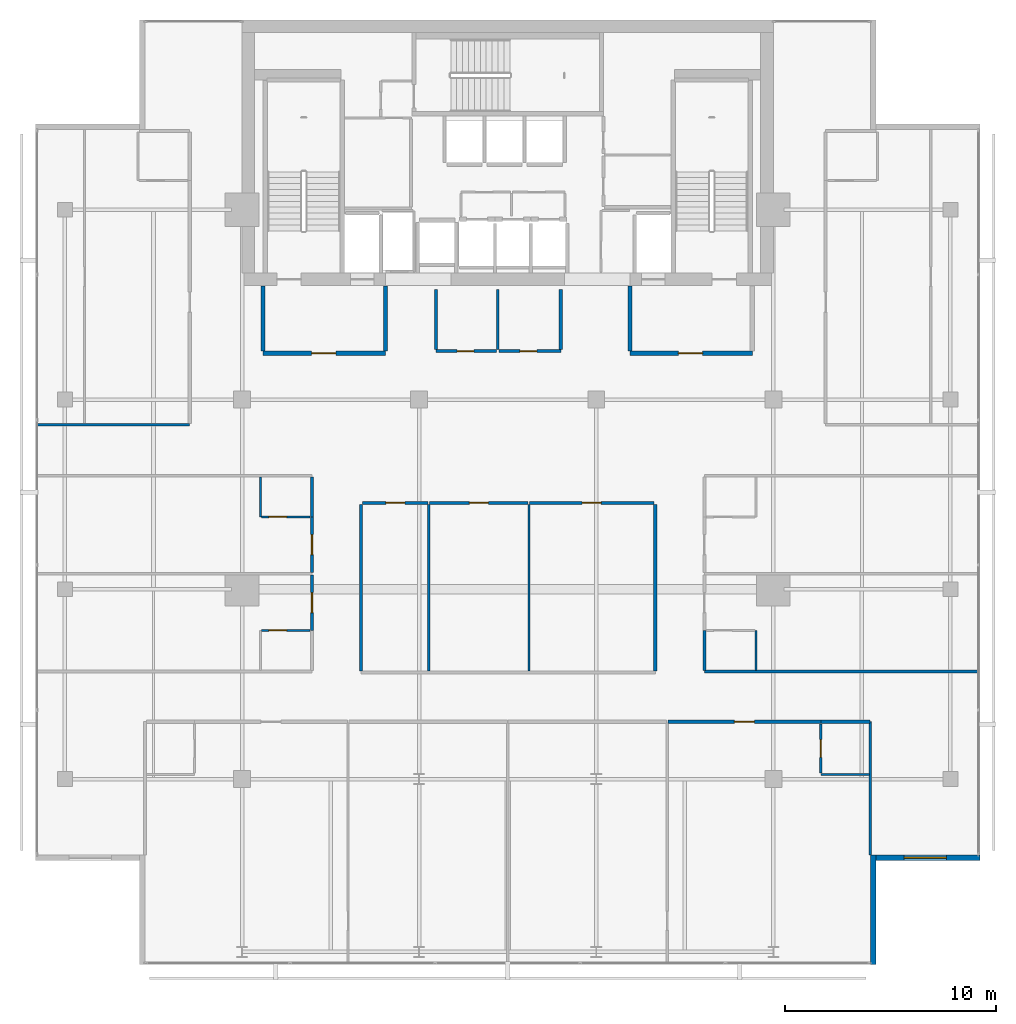
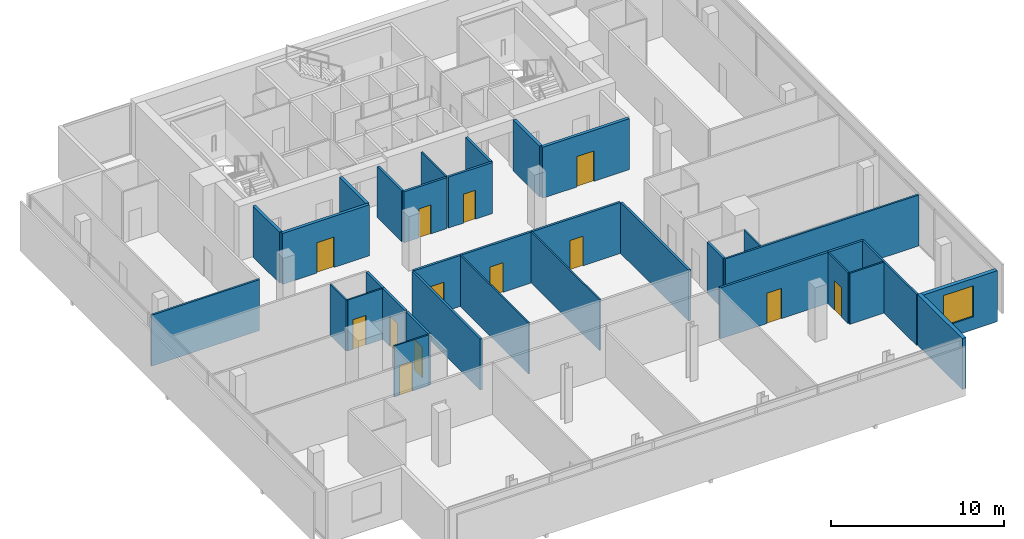
# One storey, part 20 of 25: 34 walls, 13 doors, 1 window, 14 openings.
"""IFC4 building model written with IfcOpenShell, lengths in metres."""

from ifc_helpers import new_model, si_unit, direction, frame, frame_2d, origin, place, context, subcontext, project, spatial, rectangle, extrude, material, layer, layer_set, type_object, element, fill, save


model = new_model("IFC4")

# Units and contexts
model_context = context("Model", 3, precision=1e-05, world=origin(), true_north=direction((0.0, 1.0)))
body_context = subcontext(model_context, "Body", "Model", "MODEL_VIEW")
ifc_project = project(units=[si_unit("LENGTHUNIT", "METRE"), si_unit("AREAUNIT", "SQUARE_METRE"), si_unit("VOLUMEUNIT", "CUBIC_METRE"), si_unit("PLANEANGLEUNIT", "RADIAN"), si_unit("MASSUNIT", "GRAM", prefix="KILO")], contexts=[model_context])

# Site, building, storey
site_placement = place(None, origin())
site = spatial("IfcSite", under=ifc_project, at=site_placement, CompositionType="ELEMENT")
building_placement = place(site_placement, origin())
building = spatial("IfcBuilding", under=site, at=building_placement, Name="Maruvema Waterfront Hotel and Observation Tower", CompositionType="ELEMENT")
storey_placement = place(building_placement, frame((0.0, 0.0, 277.89990234375)))
storey = spatial("IfcBuildingStorey", under=building, at=storey_placement, Name="L68", CompositionType="ELEMENT", Elevation=277.89990234375)

# Wall, opening, door
ifc_material_1 = material(Name="Twin-stud acoustic gypsum drywall", Category="gypsum")
ifc_layer_1 = layer(ifc_material_1, 0.14990234375, Name="Acoustic Corridor and Suite Demising Wall 150 mm")
ifc_layer_set_1 = layer_set([ifc_layer_1], Name="Twin-stud acoustic gypsum drywall")
wall_type_1 = type_object("IfcWallType", Name="Acoustic Corridor and Suite Demising Wall 150 mm", PredefinedType="PARTITIONING", material=ifc_layer_set_1)
wall_1_placement = place(storey_placement, frame((34.39990234375, 38.300048828125, 0.0), z_axis=(0.0, 0.0, 1.0), x_axis=(1.0, 0.0, 0.0)))
wall_1 = element("IfcWall", 1, at=wall_1_placement, inside=storey, type_object=wall_type_1, Name="L68 Core Apron K2A South 026", PredefinedType="PARTITIONING", context=body_context, shape_type="SweptSolid", body=[
    extrude(rectangle(XDim=2.880126953125, YDim=0.14990234375, at=frame_2d((1.43994140625, 0.0))), origin(), (0.0, 0.0, 1.0), 3.610107421875),
])
opening_1_placement = place(wall_1_placement, frame((1.0, 0.0, 0.0)))
opening_1 = element("IfcOpeningElement", 2, at=opening_1_placement, cuts=wall_1, Name="Opening DR-080", PredefinedType="OPENING", context=body_context, shape_type="SweptSolid", body=[
    extrude(rectangle(XDim=0.800048828125, YDim=2.050048828125, at=frame_2d((0.39990234375, 1.02490234375))), frame((0.0, 0.0849609375, 0.0), z_axis=(0.0, -1.0, 0.0), x_axis=(1.0, 0.0, 0.0)), (0.0, 0.0, 1.0), 0.169921875),
])
ifc_material_2 = material(Name="Powder-coated steel access leaf", Category="steel")
door_type_1 = type_object("IfcDoorType", Name="Riser and Service Cupboard Door 800x2050 mm", OperationType="NOTDEFINED", PredefinedType="DOOR", material=ifc_material_2)
door_1_placement = place(opening_1_placement, frame((0.800048828125, 0.0, 0.0), z_axis=(0.0, 0.0, 1.0), x_axis=(-1.0, 0.0, 0.0)))
door_1 = element("IfcDoor", 3, at=door_1_placement, inside=storey, type_object=door_type_1, Name="L68 Core Ice Alcove Door", OperationType="SINGLE_SWING_LEFT", OverallHeight=2.050048828125, OverallWidth=0.800048828125, PredefinedType="DOOR", context=body_context, shape_type="SweptSolid", body=[
    extrude(rectangle(XDim=0.800048828125, YDim=2.050048828125, at=frame_2d((0.39990234375, 1.02490234375))), frame((0.0, 0.02490234375, 0.0), z_axis=(0.0, -1.0, 0.0), x_axis=(1.0, 0.0, 0.0)), (0.0, 0.0, 1.0), 0.050048828125),
])
fill(opening_1, door_1)

wall_2_placement = place(storey_placement, frame((37.3798828125, 38.300048828125, 0.0), z_axis=(0.0, 0.0, 1.0), x_axis=(1.0, 0.0, 0.0)))
wall_2 = element("IfcWall", 4, at=wall_2_placement, inside=storey, type_object=wall_type_1, Name="L68 Core Apron K2B South 027", PredefinedType="PARTITIONING", context=body_context, shape_type="SweptSolid", body=[
    extrude(rectangle(XDim=2.940185546875, YDim=0.14990234375, at=frame_2d((1.47021484375, 0.0))), origin(), (0.0, 0.0, 1.0), 3.610107421875),
])
opening_2_placement = place(wall_2_placement, frame((1.0, 0.0, 0.0)))
opening_2 = element("IfcOpeningElement", 5, at=opening_2_placement, cuts=wall_2, Name="Opening DR-080", PredefinedType="OPENING", context=body_context, shape_type="SweptSolid", body=[
    extrude(rectangle(XDim=0.800048828125, YDim=2.050048828125, at=frame_2d((0.39990234375, 1.02490234375))), frame((0.0, 0.0849609375, 0.0), z_axis=(0.0, -1.0, 0.0), x_axis=(1.0, 0.0, 0.0)), (0.0, 0.0, 1.0), 0.169921875),
])
door_2_placement = place(opening_2_placement, frame((0.800048828125, 0.0, 0.0), z_axis=(0.0, 0.0, 1.0), x_axis=(-1.0, 0.0, 0.0)))
door_2 = element("IfcDoor", 6, at=door_2_placement, inside=storey, type_object=door_type_1, Name="L68 Core Valet Closet Door", OperationType="SINGLE_SWING_RIGHT", OverallHeight=2.050048828125, OverallWidth=0.800048828125, PredefinedType="DOOR", context=body_context, shape_type="SweptSolid", body=[
    extrude(rectangle(XDim=0.800048828125, YDim=2.050048828125, at=frame_2d((0.39990234375, 1.02490234375))), frame((0.0, 0.02490234375, 0.0), z_axis=(0.0, -1.0, 0.0), x_axis=(1.0, 0.0, 0.0)), (0.0, 0.0, 1.0), 0.050048828125),
])
fill(opening_2, door_2)

# Walls
for number, where, z_axis, x_axis, name in (
    (7, (34.39990234375, 38.3798828125, 0.0), (0.0, 0.0, 1.0), (0.0, 1.0, 0.0), "L68 Core Apron K2 West 028"),
    (8, (40.320068359375, 38.3798828125, 0.0), (0.0, 0.0, 1.0), (0.0, 1.0, 0.0), "L68 Core Apron K2 East 030"),
):
    element("IfcWall", number, at=place(storey_placement, frame(where, z_axis=z_axis, x_axis=x_axis)), inside=storey, type_object=wall_type_1, Name=name, PredefinedType="PARTITIONING", context=body_context, shape_type="SweptSolid", body=[
        extrude(rectangle(XDim=2.840087890625, YDim=0.14990234375, at=frame_2d((1.419921875, 0.0))), origin(), (0.0, 0.0, 1.0), 3.610107421875),
    ])
for number, where, z_axis, x_axis, name in (
    (9, (30.85009765625, 23.1298828125, 0.0), (0.0, 0.0, 1.0), (0.0, 1.0, 0.0), "L68 L68-Z3M West Wall 032"),
    (10, (44.800048828125, 23.1298828125, 0.0), (0.0, 0.0, 1.0), (0.0, 1.0, 0.0), "L68 L68-Z3M East Wall 033"),
):
    element("IfcWall", number, at=place(storey_placement, frame(where, z_axis=z_axis, x_axis=x_axis)), inside=storey, type_object=wall_type_1, Name=name, PredefinedType="PARTITIONING", context=body_context, shape_type="SweptSolid", body=[
        extrude(rectangle(XDim=7.89013671875, YDim=0.14990234375, at=frame_2d((3.945068359375, 0.0))), origin(), (0.0, 0.0, 1.0), 3.610107421875),
    ])

# Wall, opening, door
wall_3_placement = place(storey_placement, frame((30.909912109375, 31.10009765625, 0.0), z_axis=(0.0, 0.0, 1.0), x_axis=(1.0, 0.0, 0.0)))
wall_3 = element("IfcWall", 11, at=wall_3_placement, inside=storey, type_object=wall_type_1, Name="L68 L68-Z3M Front 1 034", PredefinedType="PARTITIONING", context=body_context, shape_type="SweptSolid", body=[
    extrude(rectangle(XDim=3.11865234375, YDim=0.14990234375, at=frame_2d((1.559326171875, 0.0))), origin(), (0.0, 0.0, 1.0), 3.610107421875),
])
opening_3_placement = place(wall_3_placement, frame((1.109375, 0.0, 0.0)))
opening_3 = element("IfcOpeningElement", 12, at=opening_3_placement, cuts=wall_3, Name="Opening DR-090", PredefinedType="OPENING", context=body_context, shape_type="SweptSolid", body=[
    extrude(rectangle(XDim=0.89990234375, YDim=2.10009765625, at=frame_2d((0.449951171875, 1.050048828125))), frame((0.0, 0.0849609375, 0.0), z_axis=(0.0, -1.0, 0.0), x_axis=(1.0, 0.0, 0.0)), (0.0, 0.0, 1.0), 0.169921875),
])
ifc_material_3 = material(Name="Solid-core lacquered timber leaf", Category="wood")
door_type_2 = type_object("IfcDoorType", Name="Accessible Toilet and Room Door 900x2100 mm", OperationType="NOTDEFINED", PredefinedType="DOOR", material=ifc_material_3)
door_3_placement = place(opening_3_placement, origin())
door_3 = element("IfcDoor", 13, at=door_3_placement, inside=storey, type_object=door_type_2, Name="L68 Private Chef Kitchen 1 Door", OperationType="SINGLE_SWING_LEFT", OverallHeight=2.10009765625, OverallWidth=0.89990234375, PredefinedType="DOOR", context=body_context, shape_type="SweptSolid", body=[
    extrude(rectangle(XDim=0.89990234375, YDim=2.10009765625, at=frame_2d((0.449951171875, 1.050048828125))), frame((0.0, 0.02490234375, 0.0), z_axis=(0.0, -1.0, 0.0), x_axis=(1.0, 0.0, 0.0)), (0.0, 0.0, 1.0), 0.050048828125),
])
fill(opening_3, door_3)

wall_4_placement = place(storey_placement, frame((34.08837890625, 31.10009765625, 0.0), z_axis=(0.0, 0.0, 1.0), x_axis=(1.0, 0.0, 0.0)))
wall_4 = element("IfcWall", 14, at=wall_4_placement, inside=storey, type_object=wall_type_1, Name="L68 L68-Z3M Front 2 036", PredefinedType="PARTITIONING", context=body_context, shape_type="SweptSolid", body=[
    extrude(rectangle(XDim=4.68310546875, YDim=0.14990234375, at=frame_2d((2.341552734375, 0.0))), origin(), (0.0, 0.0, 1.0), 3.610107421875),
])
opening_4_placement = place(wall_4_placement, frame((1.8916015625, 0.0, 0.0)))
opening_4 = element("IfcOpeningElement", 15, at=opening_4_placement, cuts=wall_4, Name="Opening DR-090", PredefinedType="OPENING", context=body_context, shape_type="SweptSolid", body=[
    extrude(rectangle(XDim=0.89990234375, YDim=2.10009765625, at=frame_2d((0.449951171875, 1.050048828125))), frame((0.0, 0.0849609375, 0.0), z_axis=(0.0, -1.0, 0.0), x_axis=(1.0, 0.0, 0.0)), (0.0, 0.0, 1.0), 0.169921875),
])
door_4_placement = place(opening_4_placement, origin())
door_4 = element("IfcDoor", 16, at=door_4_placement, inside=storey, type_object=door_type_2, Name="L68 Private Chef Kitchen 2 Door", OperationType="SINGLE_SWING_RIGHT", OverallHeight=2.10009765625, OverallWidth=0.89990234375, PredefinedType="DOOR", context=body_context, shape_type="SweptSolid", body=[
    extrude(rectangle(XDim=0.89990234375, YDim=2.10009765625, at=frame_2d((0.449951171875, 1.050048828125))), frame((0.0, 0.02490234375, 0.0), z_axis=(0.0, -1.0, 0.0), x_axis=(1.0, 0.0, 0.0)), (0.0, 0.0, 1.0), 0.050048828125),
])
fill(opening_4, door_4)

wall_5_placement = place(storey_placement, frame((38.83154296875, 31.10009765625, 0.0), z_axis=(0.0, 0.0, 1.0), x_axis=(1.0, 0.0, 0.0)))
wall_5 = element("IfcWall", 17, at=wall_5_placement, inside=storey, type_object=wall_type_1, Name="L68 L68-Z3M Front 3 038", PredefinedType="PARTITIONING", context=body_context, shape_type="SweptSolid", body=[
    extrude(rectangle(XDim=5.908447265625, YDim=0.14990234375, at=frame_2d((2.9541015625, 0.0))), origin(), (0.0, 0.0, 1.0), 3.610107421875),
])
opening_5_placement = place(wall_5_placement, frame((2.50439453125, 0.0, 0.0)))
opening_5 = element("IfcOpeningElement", 18, at=opening_5_placement, cuts=wall_5, Name="Opening DR-090", PredefinedType="OPENING", context=body_context, shape_type="SweptSolid", body=[
    extrude(rectangle(XDim=0.89990234375, YDim=2.10009765625, at=frame_2d((0.449951171875, 1.050048828125))), frame((0.0, 0.0849609375, 0.0), z_axis=(0.0, -1.0, 0.0), x_axis=(1.0, 0.0, 0.0)), (0.0, 0.0, 1.0), 0.169921875),
])
door_5_placement = place(opening_5_placement, origin())
door_5 = element("IfcDoor", 19, at=door_5_placement, inside=storey, type_object=door_type_2, Name="L68 Private Chef Kitchen 3 Door", OperationType="SINGLE_SWING_LEFT", OverallHeight=2.10009765625, OverallWidth=0.89990234375, PredefinedType="DOOR", context=body_context, shape_type="SweptSolid", body=[
    extrude(rectangle(XDim=0.89990234375, YDim=2.10009765625, at=frame_2d((0.449951171875, 1.050048828125))), frame((0.0, 0.02490234375, 0.0), z_axis=(0.0, -1.0, 0.0), x_axis=(1.0, 0.0, 0.0)), (0.0, 0.0, 1.0), 0.050048828125),
])
fill(opening_5, door_5)

# Wall
wall_6_placement = place(storey_placement, frame((52.64990234375, 20.719970703125, 0.0), z_axis=(0.0, 0.0, 1.0), x_axis=(1.0, 0.0, 0.0)))
element("IfcWall", 20, at=wall_6_placement, inside=storey, type_object=wall_type_1, Name="L68 Bath L68-S2 Back Wall 048", PredefinedType="PARTITIONING", context=body_context, shape_type="SweptSolid", body=[
    extrude(rectangle(XDim=2.330078125, YDim=0.14990234375, at=frame_2d((1.1650390625, 0.0))), origin(), (0.0, 0.0, 1.0), 3.610107421875),
])

# Wall, opening, door
wall_7_placement = place(storey_placement, frame((45.407958984375, 20.719970703125, 0.0), z_axis=(0.0, 0.0, 1.0), x_axis=(1.0, 0.0, 0.0)))
wall_7 = element("IfcWall", 21, at=wall_7_placement, inside=storey, type_object=wall_type_1, Name="L68 Unit L68-S2 Corridor Wall 052", PredefinedType="PARTITIONING", context=body_context, shape_type="SweptSolid", body=[
    extrude(rectangle(XDim=7.241943359375, YDim=0.14990234375, at=frame_2d((3.62109375, 0.0))), origin(), (0.0, 0.0, 1.0), 3.610107421875),
])
opening_6_placement = place(wall_7_placement, frame((3.14599609375, 0.0, 0.0)))
opening_6 = element("IfcOpeningElement", 22, at=opening_6_placement, cuts=wall_7, Name="Opening DR-095", PredefinedType="OPENING", context=body_context, shape_type="SweptSolid", body=[
    extrude(rectangle(XDim=0.949951171875, YDim=2.14990234375, at=frame_2d((0.47509765625, 1.074951171875))), frame((0.0, 0.0849609375, 0.0), z_axis=(0.0, -1.0, 0.0), x_axis=(1.0, 0.0, 0.0)), (0.0, 0.0, 1.0), 0.169921875),
])
ifc_material_4 = material(Name="Acoustic solid-core hardwood timber leaf", Category="wood")
door_type_3 = type_object("IfcDoorType", Name="Guestroom Entrance Fire Door 950x2150 mm", OperationType="NOTDEFINED", PredefinedType="DOOR", material=ifc_material_4)
door_6_placement = place(opening_6_placement, frame((0.949951171875, 0.0, 0.0), z_axis=(0.0, 0.0, 1.0), x_axis=(-1.0, 0.0, 0.0)))
door_6 = element("IfcDoor", 23, at=door_6_placement, inside=storey, type_object=door_type_3, Name="L68 Unit L68-S2 Entrance Door", OperationType="SINGLE_SWING_RIGHT", OverallHeight=2.14990234375, OverallWidth=0.949951171875, PredefinedType="DOOR", context=body_context, shape_type="SweptSolid", body=[
    extrude(rectangle(XDim=0.949951171875, YDim=2.14990234375, at=frame_2d((0.47509765625, 1.074951171875))), frame((0.0, 0.02490234375, 0.0), z_axis=(0.0, -1.0, 0.0), x_axis=(1.0, 0.0, 0.0)), (0.0, 0.0, 1.0), 0.050048828125),
])
fill(opening_6, door_6)

wall_8_placement = place(storey_placement, frame((28.52001953125, 25.050048828125, 0.0), z_axis=(0.0, 0.0, 1.0), x_axis=(0.0, 1.0, 0.0)))
wall_8 = element("IfcWall", 24, at=wall_8_placement, inside=storey, type_object=wall_type_1, Name="L68 Room L68-W1 Corridor Wall 059", PredefinedType="PARTITIONING", context=body_context, shape_type="SweptSolid", body=[
    extrude(rectangle(XDim=2.6298828125, YDim=0.14990234375, at=frame_2d((1.31494140625, 0.0))), origin(), (0.0, 0.0, 1.0), 3.610107421875),
])
opening_7_placement = place(wall_8_placement, frame((0.840087890625, 0.0, 0.0)))
opening_7 = element("IfcOpeningElement", 25, at=opening_7_placement, cuts=wall_8, Name="Opening DR-095", PredefinedType="OPENING", context=body_context, shape_type="SweptSolid", body=[
    extrude(rectangle(XDim=0.949951171875, YDim=2.14990234375, at=frame_2d((0.47509765625, 1.074951171875))), frame((0.0, 0.0849609375, 0.0), z_axis=(0.0, -1.0, 0.0), x_axis=(1.0, 0.0, 0.0)), (0.0, 0.0, 1.0), 0.169921875),
])
door_7_placement = place(opening_7_placement, origin())
door_7 = element("IfcDoor", 26, at=door_7_placement, inside=storey, type_object=door_type_3, Name="L68 Room L68-W1 Entrance Door", OperationType="SINGLE_SWING_LEFT", OverallHeight=2.14990234375, OverallWidth=0.949951171875, PredefinedType="DOOR", context=body_context, shape_type="SweptSolid", body=[
    extrude(rectangle(XDim=0.949951171875, YDim=2.14990234375, at=frame_2d((0.47509765625, 1.074951171875))), frame((0.0, 0.02490234375, 0.0), z_axis=(0.0, -1.0, 0.0), x_axis=(1.0, 0.0, 0.0)), (0.0, 0.0, 1.0), 0.050048828125),
])
fill(opening_7, door_7)

# Wall
wall_9_placement = place(storey_placement, frame((47.1298828125, 23.159912109375, 0.0), z_axis=(0.0, 0.0, 1.0), x_axis=(0.0, 1.0, 0.0)))
element("IfcWall", 27, at=wall_9_placement, inside=storey, type_object=wall_type_1, Name="L68 Bath L68-E1 Wall 062", PredefinedType="PARTITIONING", context=body_context, shape_type="SweptSolid", body=[
    extrude(rectangle(XDim=1.89013671875, YDim=0.14990234375, at=frame_2d((0.945068359375, 0.0))), origin(), (0.0, 0.0, 1.0), 3.610107421875),
])

# Wall, opening, door
wall_10_placement = place(storey_placement, frame((28.52001953125, 27.800048828125, 0.0), z_axis=(0.0, 0.0, 1.0), x_axis=(0.0, 1.0, 0.0)))
wall_10 = element("IfcWall", 28, at=wall_10_placement, inside=storey, type_object=wall_type_1, Name="L68 Room L68-W2 Corridor Wall 068", PredefinedType="PARTITIONING", context=body_context, shape_type="SweptSolid", body=[
    extrude(rectangle(XDim=2.6298828125, YDim=0.14990234375, at=frame_2d((1.31494140625, 0.0))), origin(), (0.0, 0.0, 1.0), 3.610107421875),
])
opening_8_placement = place(wall_10_placement, frame((0.840087890625, 0.0, 0.0)))
opening_8 = element("IfcOpeningElement", 29, at=opening_8_placement, cuts=wall_10, Name="Opening DR-095", PredefinedType="OPENING", context=body_context, shape_type="SweptSolid", body=[
    extrude(rectangle(XDim=0.949951171875, YDim=2.14990234375, at=frame_2d((0.47509765625, 1.074951171875))), frame((0.0, 0.0849609375, 0.0), z_axis=(0.0, -1.0, 0.0), x_axis=(1.0, 0.0, 0.0)), (0.0, 0.0, 1.0), 0.169921875),
])
door_8_placement = place(opening_8_placement, origin())
door_8 = element("IfcDoor", 30, at=door_8_placement, inside=storey, type_object=door_type_3, Name="L68 Room L68-W2 Entrance Door", OperationType="SINGLE_SWING_LEFT", OverallHeight=2.14990234375, OverallWidth=0.949951171875, PredefinedType="DOOR", context=body_context, shape_type="SweptSolid", body=[
    extrude(rectangle(XDim=0.949951171875, YDim=2.14990234375, at=frame_2d((0.47509765625, 1.074951171875))), frame((0.0, 0.02490234375, 0.0), z_axis=(0.0, -1.0, 0.0), x_axis=(1.0, 0.0, 0.0)), (0.0, 0.0, 1.0), 0.050048828125),
])
fill(opening_8, door_8)

# Walls
wall_11_placement = place(storey_placement, frame((28.52001953125, 30.429931640625, 0.0), z_axis=(0.0, 0.0, 1.0), x_axis=(0.0, 1.0, 0.0)))
element("IfcWall", 31, at=wall_11_placement, inside=storey, type_object=wall_type_1, Name="L68 Bath L68-W2 Wall 069", PredefinedType="PARTITIONING", context=body_context, shape_type="SweptSolid", body=[
    extrude(rectangle(XDim=1.89013671875, YDim=0.14990234375, at=frame_2d((0.945068359375, 0.0))), origin(), (0.0, 0.0, 1.0), 3.610107421875),
])
ifc_material_5 = material(Name="Moisture-resistant cement-board drywall", Category="gypsum")
ifc_layer_2 = layer(ifc_material_5, 0.10009765625, Name="En-Suite Moisture-Resistant Partition 100 mm")
ifc_layer_set_2 = layer_set([ifc_layer_2], Name="Moisture-resistant cement-board drywall")
wall_type_2 = type_object("IfcWallType", Name="En-Suite Moisture-Resistant Partition 100 mm", PredefinedType="PARTITIONING", material=ifc_layer_set_2)
wall_12_placement = place(storey_placement, frame((37.330078125, 38.3798828125, 0.0), z_axis=(0.0, 0.0, 1.0), x_axis=(0.0, 1.0, 0.0)))
element("IfcWall", 32, at=wall_12_placement, inside=storey, type_object=wall_type_2, Name="L68 Core Apron K2 Split 029", PredefinedType="PARTITIONING", context=body_context, shape_type="SweptSolid", body=[
    extrude(rectangle(XDim=2.840087890625, YDim=0.10009765625, at=frame_2d((1.419921875, 0.0))), origin(), (0.0, 0.0, 1.0), 3.610107421875),
])
for number, where, z_axis, x_axis, name in (
    (33, (34.05859375, 23.1298828125, 0.0), (0.0, 0.0, 1.0), (0.0, 1.0, 0.0), "L68 L68-Z3M Split 1 035"),
    (34, (38.801513671875, 23.1298828125, 0.0), (0.0, 0.0, 1.0), (0.0, 1.0, 0.0), "L68 L68-Z3M Split 2 037"),
):
    element("IfcWall", number, at=place(storey_placement, frame(where, z_axis=z_axis, x_axis=x_axis)), inside=storey, type_object=wall_type_2, Name=name, PredefinedType="PARTITIONING", context=body_context, shape_type="SweptSolid", body=[
        extrude(rectangle(XDim=7.89013671875, YDim=0.10009765625, at=frame_2d((3.945068359375, 0.0))), origin(), (0.0, 0.0, 1.0), 3.610107421875),
    ])
wall_13_placement = place(storey_placement, frame((52.64990234375, 18.219970703125, 0.0), z_axis=(0.0, 0.0, 1.0), x_axis=(1.0, 0.0, 0.0)))
element("IfcWall", 35, at=wall_13_placement, inside=storey, type_object=wall_type_2, Name="L68 En-Suite L68-S2 South 049", PredefinedType="PARTITIONING", context=body_context, shape_type="SweptSolid", body=[
    extrude(rectangle(XDim=2.31005859375, YDim=0.10009765625, at=frame_2d((1.155029296875, 0.0))), origin(), (0.0, 0.0, 1.0), 3.610107421875),
])

# Wall, opening, door
wall_14_placement = place(storey_placement, frame((52.64990234375, 18.280029296875, 0.0), z_axis=(0.0, 0.0, 1.0), x_axis=(0.0, 1.0, 0.0)))
wall_14 = element("IfcWall", 36, at=wall_14_placement, inside=storey, type_object=wall_type_2, Name="L68 En-Suite L68-S2 West 050", PredefinedType="PARTITIONING", context=body_context, shape_type="SweptSolid", body=[
    extrude(rectangle(XDim=2.340087890625, YDim=0.10009765625, at=frame_2d((1.169921875, 0.0))), origin(), (0.0, 0.0, 1.0), 3.610107421875),
])
opening_9_placement = place(wall_14_placement, frame((0.7451171875, 0.0, 0.0)))
opening_9 = element("IfcOpeningElement", 37, at=opening_9_placement, cuts=wall_14, Name="Opening DR-085", PredefinedType="OPENING", context=body_context, shape_type="SweptSolid", body=[
    extrude(rectangle(XDim=0.85009765625, YDim=2.10009765625, at=frame_2d((0.425048828125, 1.050048828125))), frame((0.0, 0.06005859375, 0.0), z_axis=(0.0, -1.0, 0.0), x_axis=(1.0, 0.0, 0.0)), (0.0, 0.0, 1.0), 0.1201171875),
])
ifc_material_6 = material(Name="Moisture-resistant solid timber leaf", Category="wood")
door_type_4 = type_object("IfcDoorType", Name="En-Suite Bathroom Door 850x2100 mm", OperationType="NOTDEFINED", PredefinedType="DOOR", material=ifc_material_6)
door_9_placement = place(opening_9_placement, origin())
door_9 = element("IfcDoor", 38, at=door_9_placement, inside=storey, type_object=door_type_4, Name="L68 En-Suite L68-S2 Door", OperationType="SINGLE_SWING_LEFT", OverallHeight=2.10009765625, OverallWidth=0.85009765625, PredefinedType="DOOR", context=body_context, shape_type="SweptSolid", body=[
    extrude(rectangle(XDim=0.85009765625, YDim=2.10009765625, at=frame_2d((0.425048828125, 1.050048828125))), frame((0.0, 0.02490234375, 0.0), z_axis=(0.0, -1.0, 0.0), x_axis=(1.0, 0.0, 0.0)), (0.0, 0.0, 1.0), 0.050048828125),
])
fill(opening_9, door_9)

wall_15_placement = place(storey_placement, frame((26.1201171875, 25.050048828125, 0.0), z_axis=(0.0, 0.0, 1.0), x_axis=(1.0, 0.0, 0.0)))
wall_15 = element("IfcWall", 39, at=wall_15_placement, inside=storey, type_object=wall_type_2, Name="L68 En-Suite L68-W1 N 061", PredefinedType="PARTITIONING", context=body_context, shape_type="SweptSolid", body=[
    extrude(rectangle(XDim=2.2998046875, YDim=0.10009765625, at=frame_2d((1.14990234375, 0.0))), origin(), (0.0, 0.0, 1.0), 3.610107421875),
])
opening_10_placement = place(wall_15_placement, frame((0.35009765625, 0.0, 0.0)))
opening_10 = element("IfcOpeningElement", 40, at=opening_10_placement, cuts=wall_15, Name="Opening DR-085", PredefinedType="OPENING", context=body_context, shape_type="SweptSolid", body=[
    extrude(rectangle(XDim=0.85009765625, YDim=2.10009765625, at=frame_2d((0.425048828125, 1.050048828125))), frame((0.0, 0.06005859375, 0.0), z_axis=(0.0, -1.0, 0.0), x_axis=(1.0, 0.0, 0.0)), (0.0, 0.0, 1.0), 0.1201171875),
])
door_10_placement = place(opening_10_placement, origin())
door_10 = element("IfcDoor", 41, at=door_10_placement, inside=storey, type_object=door_type_4, Name="L68 En-Suite L68-W1 Door", OperationType="SINGLE_SWING_RIGHT", OverallHeight=2.10009765625, OverallWidth=0.85009765625, PredefinedType="DOOR", context=body_context, shape_type="SweptSolid", body=[
    extrude(rectangle(XDim=0.85009765625, YDim=2.10009765625, at=frame_2d((0.425048828125, 1.050048828125))), frame((0.0, 0.02490234375, 0.0), z_axis=(0.0, -1.0, 0.0), x_axis=(1.0, 0.0, 0.0)), (0.0, 0.0, 1.0), 0.050048828125),
])
fill(opening_10, door_10)

# Walls
for number, where, z_axis, x_axis, name in (
    (42, (49.580078125, 23.159912109375, 0.0), (0.0, 0.0, 1.0), (0.0, 1.0, 0.0), "L68 En-Suite L68-E1 E 064"),
    (43, (26.070068359375, 30.429931640625, 0.0), (0.0, 0.0, 1.0), (0.0, 1.0, 0.0), "L68 En-Suite L68-W2 W 070"),
):
    element("IfcWall", number, at=place(storey_placement, frame(where, z_axis=z_axis, x_axis=x_axis)), inside=storey, type_object=wall_type_2, Name=name, PredefinedType="PARTITIONING", context=body_context, shape_type="SweptSolid", body=[
        extrude(rectangle(XDim=1.89013671875, YDim=0.10009765625, at=frame_2d((0.945068359375, 0.0))), origin(), (0.0, 0.0, 1.0), 3.610107421875),
    ])

# Wall, opening, door
wall_16_placement = place(storey_placement, frame((26.1201171875, 30.429931640625, 0.0), z_axis=(0.0, 0.0, 1.0), x_axis=(1.0, 0.0, 0.0)))
wall_16 = element("IfcWall", 44, at=wall_16_placement, inside=storey, type_object=wall_type_2, Name="L68 En-Suite L68-W2 S 071", PredefinedType="PARTITIONING", context=body_context, shape_type="SweptSolid", body=[
    extrude(rectangle(XDim=2.2998046875, YDim=0.10009765625, at=frame_2d((1.14990234375, 0.0))), origin(), (0.0, 0.0, 1.0), 3.610107421875),
])
opening_11_placement = place(wall_16_placement, frame((0.35009765625, 0.0, 0.0)))
opening_11 = element("IfcOpeningElement", 45, at=opening_11_placement, cuts=wall_16, Name="Opening DR-085", PredefinedType="OPENING", context=body_context, shape_type="SweptSolid", body=[
    extrude(rectangle(XDim=0.85009765625, YDim=2.10009765625, at=frame_2d((0.425048828125, 1.050048828125))), frame((0.0, 0.06005859375, 0.0), z_axis=(0.0, -1.0, 0.0), x_axis=(1.0, 0.0, 0.0)), (0.0, 0.0, 1.0), 0.1201171875),
])
door_11_placement = place(opening_11_placement, frame((0.85009765625, 0.0, 0.0), z_axis=(0.0, 0.0, 1.0), x_axis=(-1.0, 0.0, 0.0)))
door_11 = element("IfcDoor", 46, at=door_11_placement, inside=storey, type_object=door_type_4, Name="L68 En-Suite L68-W2 Door", OperationType="SINGLE_SWING_RIGHT", OverallHeight=2.10009765625, OverallWidth=0.85009765625, PredefinedType="DOOR", context=body_context, shape_type="SweptSolid", body=[
    extrude(rectangle(XDim=0.85009765625, YDim=2.10009765625, at=frame_2d((0.425048828125, 1.050048828125))), frame((0.0, 0.02490234375, 0.0), z_axis=(0.0, -1.0, 0.0), x_axis=(1.0, 0.0, 0.0)), (0.0, 0.0, 1.0), 0.050048828125),
])
fill(opening_11, door_11)

# Wall
ifc_material_7 = material(Name="Precast concrete C45/55 with honed Pernambuco granite facing", Category="masonry")
ifc_layer_3 = layer(ifc_material_7, 0.260009765625, Name="Exterior Granite Clad Spandrel and Pier Wall 260 mm")
ifc_layer_set_3 = layer_set([ifc_layer_3], Name="Precast concrete C45/55 with honed Pernambuco granite facing")
wall_type_3 = type_object("IfcWallType", Name="Exterior Granite Clad Spandrel and Pier Wall 260 mm", PredefinedType="SOLIDWALL", material=ifc_layer_set_3)
wall_17_placement = place(storey_placement, frame((55.1298828125, 14.39990234375, 0.0), z_axis=(0.0, 0.0, 1.0), x_axis=(0.0, -1.0, 0.0)))
element("IfcWall", 47, at=wall_17_placement, inside=storey, type_object=wall_type_3, Name="L68 Corner Notch Granite Pier Wall SE1", PredefinedType="SOLIDWALL", context=body_context, shape_type="SweptSolid", body=[
    extrude(rectangle(XDim=5.199951171875, YDim=0.260009765625, at=frame_2d((2.60009765625, 0.0))), origin(), (0.0, 0.0, 1.0), 3.610107421875),
])

# Wall, opening, window
wall_18_placement = place(storey_placement, frame((60.199951171875, 14.27001953125, 0.0), z_axis=(0.0, 0.0, 1.0), x_axis=(-1.0, 0.0, 0.0)))
wall_18 = element("IfcWall", 48, at=wall_18_placement, inside=storey, type_object=wall_type_3, Name="L68 Corner Notch Granite Pier Wall SE2", PredefinedType="SOLIDWALL", context=body_context, shape_type="SweptSolid", body=[
    extrude(rectangle(XDim=5.199951171875, YDim=0.260009765625, at=frame_2d((2.60009765625, 0.0))), origin(), (0.0, 0.0, 1.0), 3.610107421875),
])
opening_12_placement = place(wall_18_placement, frame((1.60009765625, 0.0, 0.89990234375)))
opening_12 = element("IfcOpeningElement", 49, at=opening_12_placement, cuts=wall_18, Name="Opening WN-03", PredefinedType="OPENING", context=body_context, shape_type="SweptSolid", body=[
    extrude(rectangle(XDim=2.0, YDim=2.199951171875, at=frame_2d((1.0, 1.10009765625))), frame((0.0, 0.14013671875, 0.0), z_axis=(0.0, -1.0, 0.0), x_axis=(1.0, 0.0, 0.0)), (0.0, 0.0, 1.0), 0.280029296875),
])
ifc_material_8 = material(Name="Anodised bronze aluminium frame with laminated low-E glass", Category="aluminium")
window_type = type_object("IfcWindowType", Name="Sky Suite Panoramic Notch Window 2000x2200 mm", PartitioningType="SINGLE_PANEL", PredefinedType="WINDOW", material=ifc_material_8)
window_placement = place(opening_12_placement, origin())
window = element("IfcWindow", 50, at=window_placement, inside=storey, type_object=window_type, Name="L68 Corner Notch Punched Window SE2", OverallHeight=2.199951171875, OverallWidth=2.0, PartitioningType="SINGLE_PANEL", PredefinedType="WINDOW", context=body_context, shape_type="SweptSolid", body=[
    extrude(rectangle(XDim=2.0, YDim=2.199951171875, at=frame_2d((1.0, 1.10009765625))), frame((0.0, 0.030029296875, 0.0), z_axis=(0.0, -1.0, 0.0), x_axis=(1.0, 0.0, 0.0)), (0.0, 0.0, 1.0), 0.06005859375),
])
fill(opening_12, window)

# Wall, opening, door
ifc_material_9 = material(Name="Autoclaved cellular concrete blockwork", Category="masonry")
ifc_layer_4 = layer(ifc_material_9, 0.199951171875, Name="Fire Compartment Masonry Wall 200 mm")
ifc_layer_set_4 = layer_set([ifc_layer_4], Name="Autoclaved cellular concrete blockwork")
wall_type_4 = type_object("IfcWallType", Name="Fire Compartment Masonry Wall 200 mm", PredefinedType="PARTITIONING", material=ifc_layer_set_4)
wall_19_placement = place(storey_placement, frame((26.199951171875, 38.199951171875, 0.0), z_axis=(0.0, 0.0, 1.0), x_axis=(1.0, 0.0, 0.0)))
wall_19 = element("IfcWall", 51, at=wall_19_placement, inside=storey, type_object=wall_type_4, Name="L68 FFL West South Wall 001", PredefinedType="PARTITIONING", context=body_context, shape_type="SweptSolid", body=[
    extrude(rectangle(XDim=5.800048828125, YDim=0.199951171875, at=frame_2d((2.89990234375, 0.0))), origin(), (0.0, 0.0, 1.0), 3.610107421875),
])
opening_13_placement = place(wall_19_placement, frame((2.300048828125, 0.0, 0.0)))
opening_13 = element("IfcOpeningElement", 52, at=opening_13_placement, cuts=wall_19, Name="Opening FD-115", PredefinedType="OPENING", context=body_context, shape_type="SweptSolid", body=[
    extrude(rectangle(XDim=1.14990234375, YDim=2.14990234375, at=frame_2d((0.574951171875, 1.074951171875))), frame((0.0, 0.10986328125, 0.0), z_axis=(0.0, -1.0, 0.0), x_axis=(1.0, 0.0, 0.0)), (0.0, 0.0, 1.0), 0.219970703125),
])
ifc_material_10 = material(Name="Fire-rated galvanised steel and vision glass", Category="steel")
door_type_5 = type_object("IfcDoorType", Name="Firefighting Lobby Fire Door 1150x2150 mm", OperationType="NOTDEFINED", PredefinedType="DOOR", material=ifc_material_10)
door_12_placement = place(opening_13_placement, frame((1.14990234375, 0.0, 0.0), z_axis=(0.0, 0.0, 1.0), x_axis=(-1.0, 0.0, 0.0)))
door_12 = element("IfcDoor", 53, at=door_12_placement, inside=storey, type_object=door_type_5, Name="L68 Firefighting Lobby West Door", OperationType="SINGLE_SWING_LEFT", OverallHeight=2.14990234375, OverallWidth=1.14990234375, PredefinedType="DOOR", context=body_context, shape_type="SweptSolid", body=[
    extrude(rectangle(XDim=1.14990234375, YDim=2.14990234375, at=frame_2d((0.574951171875, 1.074951171875))), frame((0.0, 0.02490234375, 0.0), z_axis=(0.0, -1.0, 0.0), x_axis=(1.0, 0.0, 0.0)), (0.0, 0.0, 1.0), 0.050048828125),
])
fill(opening_13, door_12)

# Walls
for number, where, z_axis, x_axis, name in (
    (54, (26.199951171875, 38.31005859375, 0.0), (0.0, 0.0, 1.0), (0.0, 1.0, 0.0), "L68 FFL West West Wall 002"),
    (55, (32.0, 38.31005859375, 0.0), (0.0, 0.0, 1.0), (0.0, 1.0, 0.0), "L68 FFL West East Wall 003"),
):
    element("IfcWall", number, at=place(storey_placement, frame(where, z_axis=z_axis, x_axis=x_axis)), inside=storey, type_object=wall_type_4, Name=name, PredefinedType="PARTITIONING", context=body_context, shape_type="SweptSolid", body=[
        extrude(rectangle(XDim=3.06982421875, YDim=0.199951171875, at=frame_2d((1.534912109375, 0.0))), origin(), (0.0, 0.0, 1.0), 3.610107421875),
    ])

# Wall, opening, door
wall_20_placement = place(storey_placement, frame((43.60009765625, 38.199951171875, 0.0), z_axis=(0.0, 0.0, 1.0), x_axis=(1.0, 0.0, 0.0)))
wall_20 = element("IfcWall", 56, at=wall_20_placement, inside=storey, type_object=wall_type_4, Name="L68 FFL East South Wall 004", PredefinedType="PARTITIONING", context=body_context, shape_type="SweptSolid", body=[
    extrude(rectangle(XDim=5.7998046875, YDim=0.199951171875, at=frame_2d((2.89990234375, 0.0))), origin(), (0.0, 0.0, 1.0), 3.610107421875),
])
opening_14_placement = place(wall_20_placement, frame((2.300048828125, 0.0, 0.0)))
opening_14 = element("IfcOpeningElement", 57, at=opening_14_placement, cuts=wall_20, Name="Opening FD-115", PredefinedType="OPENING", context=body_context, shape_type="SweptSolid", body=[
    extrude(rectangle(XDim=1.14990234375, YDim=2.14990234375, at=frame_2d((0.574951171875, 1.074951171875))), frame((0.0, 0.10986328125, 0.0), z_axis=(0.0, -1.0, 0.0), x_axis=(1.0, 0.0, 0.0)), (0.0, 0.0, 1.0), 0.219970703125),
])
door_13_placement = place(opening_14_placement, frame((1.14990234375, 0.0, 0.0), z_axis=(0.0, 0.0, 1.0), x_axis=(-1.0, 0.0, 0.0)))
door_13 = element("IfcDoor", 58, at=door_13_placement, inside=storey, type_object=door_type_5, Name="L68 Firefighting Lobby East Door", OperationType="SINGLE_SWING_RIGHT", OverallHeight=2.14990234375, OverallWidth=1.14990234375, PredefinedType="DOOR", context=body_context, shape_type="SweptSolid", body=[
    extrude(rectangle(XDim=1.14990234375, YDim=2.14990234375, at=frame_2d((0.574951171875, 1.074951171875))), frame((0.0, 0.02490234375, 0.0), z_axis=(0.0, -1.0, 0.0), x_axis=(1.0, 0.0, 0.0)), (0.0, 0.0, 1.0), 0.050048828125),
])
fill(opening_14, door_13)

# Walls
wall_21_placement = place(storey_placement, frame((43.60009765625, 38.31005859375, 0.0), z_axis=(0.0, 0.0, 1.0), x_axis=(0.0, 1.0, 0.0)))
element("IfcWall", 59, at=wall_21_placement, inside=storey, type_object=wall_type_4, Name="L68 FFL East West Wall 005", PredefinedType="PARTITIONING", context=body_context, shape_type="SweptSolid", body=[
    extrude(rectangle(XDim=3.06982421875, YDim=0.199951171875, at=frame_2d((1.534912109375, 0.0))), origin(), (0.0, 0.0, 1.0), 3.610107421875),
])
ifc_material_11 = material(Name="Acoustic gypsum plasterboard drywall", Category="gypsum")
ifc_layer_5 = layer(ifc_material_11, 0.125, Name="Guestroom Acoustic Demising Wall 125 mm")
ifc_layer_set_5 = layer_set([ifc_layer_5], Name="Acoustic gypsum plasterboard drywall")
wall_type_5 = type_object("IfcWallType", Name="Guestroom Acoustic Demising Wall 125 mm", PredefinedType="PARTITIONING", material=ifc_layer_set_5)
wall_22_placement = place(storey_placement, frame((55.0, 14.39990234375, 0.0), z_axis=(0.0, 0.0, 1.0), x_axis=(0.0, 1.0, 0.0)))
element("IfcWall", 60, at=wall_22_placement, inside=storey, type_object=wall_type_5, Name="L68 Z3 S East End 040", PredefinedType="PARTITIONING", context=body_context, shape_type="SweptSolid", body=[
    extrude(rectangle(XDim=6.320068359375, YDim=0.125, at=frame_2d((3.16015625, 0.0))), origin(), (0.0, 0.0, 1.0), 3.610107421875),
])
wall_23_placement = place(storey_placement, frame((47.1298828125, 23.10009765625, 0.0), z_axis=(0.0, 0.0, 1.0), x_axis=(1.0, 0.0, 0.0)))
element("IfcWall", 61, at=wall_23_placement, inside=storey, type_object=wall_type_5, Name="L68 Z3 E Bot End 055", PredefinedType="PARTITIONING", context=body_context, shape_type="SweptSolid", body=[
    extrude(rectangle(XDim=12.97021484375, YDim=0.125, at=frame_2d((6.485107421875, 0.0))), origin(), (0.0, 0.0, 1.0), 3.610107421875),
])
wall_24_placement = place(storey_placement, frame((15.5, 34.800048828125, 0.0), z_axis=(0.0, 0.0, 1.0), x_axis=(1.0, 0.0, 0.0)))
element("IfcWall", 62, at=wall_24_placement, inside=storey, type_object=wall_type_5, Name="L68 Z3 NW Bot End 076", PredefinedType="PARTITIONING", context=body_context, shape_type="SweptSolid", body=[
    extrude(rectangle(XDim=7.219970703125, YDim=0.125, at=frame_2d((3.60986328125, 0.0))), origin(), (0.0, 0.0, 1.0), 3.610107421875),
])

save(model, "model.ifc")
